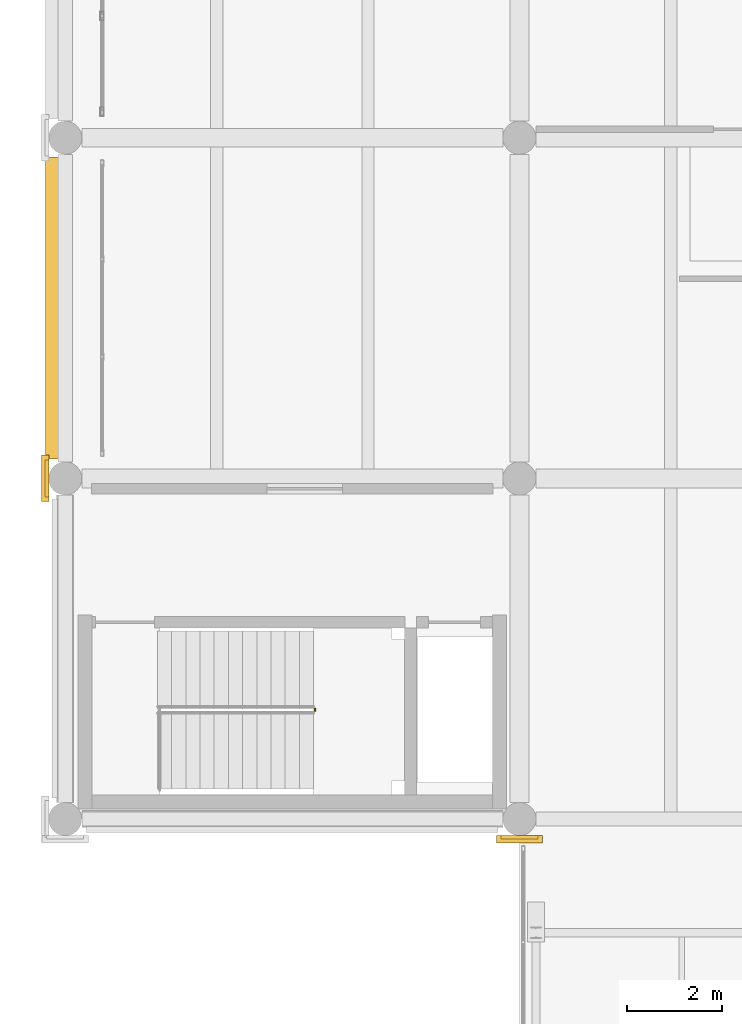
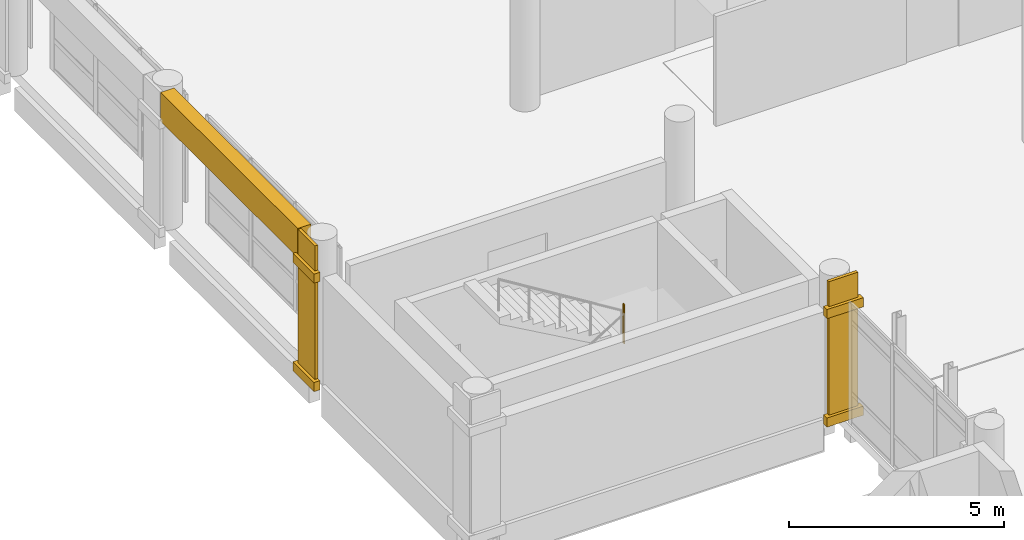
# One storey, part 162 of 180: 7 coverings, 1 railing.
"""IFC4 building model written with IfcOpenShell, lengths in metres."""

from ifc_helpers import new_model, si_unit, direction, frame, origin, origin_2d, place, context, subcontext, project, spatial, rectangle, circle, extrude, material, layer, layer_set, type_object, element, save


model = new_model("IFC4")

# Units and contexts
model_context = context("Model", 3, precision=1e-05, world=origin(), true_north=direction((0.0, 1.0)))
body_context = subcontext(model_context, "Body", "Model", "MODEL_VIEW")
ifc_project = project(units=[si_unit("LENGTHUNIT", "METRE"), si_unit("AREAUNIT", "SQUARE_METRE"), si_unit("VOLUMEUNIT", "CUBIC_METRE"), si_unit("PLANEANGLEUNIT", "RADIAN"), si_unit("MASSUNIT", "GRAM", prefix="KILO")], contexts=[model_context])

# Site, building, storey
site_placement = place(None, origin())
site = spatial("IfcSite", under=ifc_project, at=site_placement, CompositionType="ELEMENT")
building_placement = place(site_placement, origin())
building = spatial("IfcBuilding", under=site, at=building_placement, Name="Asteropetra Specialist Clinic", CompositionType="ELEMENT")
storey_placement = place(building_placement, frame((0.0, 0.0, 4.419921875)))
storey = spatial("IfcBuildingStorey", under=building, at=storey_placement, Name="L01", CompositionType="ELEMENT", Elevation=4.419921875)

# Coverings
ifc_material_1 = material(Name="Pentelic marble ashlar", Category="masonry")
ifc_layer = layer(ifc_material_1, 0.159912109375)
ifc_layer_set = layer_set([ifc_layer], Name="Pentelic marble ashlar")
covering_type = type_object("IfcCoveringType", Name="CRN-ENTAB-600", PredefinedType="MOLDING", material=ifc_layer_set)
covering_1_placement = place(storey_placement, frame((-0.239990234375, 44.39990234375, 3.25), z_axis=(0.0, 0.0, 1.0), x_axis=(1.0, 0.0, 0.0)))
element("IfcCovering", 1, at=covering_1_placement, inside=storey, type_object=covering_type, Name="Stoa Classical Entablature SE-0040", PredefinedType="MOLDING", context=body_context, shape_type="SweptSolid", body=[
    extrude(rectangle(XDim=0.360107421875, YDim=6.3798828125, at=origin_2d()), origin(), (0.0, 0.0, 1.0), 0.820068359375),
])
covering_2_placement = place(storey_placement, frame((-0.382080078125, 40.800048828125, 0.02001953125), z_axis=(0.0, 0.0, 1.0), x_axis=(1.0, 0.0, 0.0)))
element("IfcCovering", 2, at=covering_2_placement, inside=storey, type_object=covering_type, Name="Neoclassical Pilaster Facing CM-0817", PredefinedType="MOLDING", context=body_context, shape_type="SweptSolid", body=[
    extrude(rectangle(XDim=0.080078125, YDim=0.780029296875, at=origin_2d()), origin(), (0.0, 0.0, 1.0), 4.0400390625),
])
for number, where, z_axis, x_axis, name in (
    (3, (-0.422119140625, 40.800048828125, 0.01025390625), (0.0, 0.0, 1.0), (1.0, 0.0, 0.0), "Doric Base CC-0818"),
    (4, (-0.422119140625, 40.800048828125, 3.08984375), (0.0, 0.0, 1.0), (1.0, 0.0, 0.0), "Doric Capital CC-0819"),
):
    element("IfcCovering", number, at=place(storey_placement, frame(where, z_axis=z_axis, x_axis=x_axis)), inside=storey, type_object=covering_type, Name=name, PredefinedType="MOLDING", context=body_context, shape_type="SweptSolid", body=[
        extrude(rectangle(XDim=0.159912109375, YDim=0.97998046875, at=origin_2d()), origin(), (0.0, 0.0, 1.0), 0.260009765625),
    ])
covering_3_placement = place(storey_placement, frame((9.60009765625, 33.218017578125, 0.02001953125), z_axis=(0.0, 0.0, 1.0), x_axis=(1.0, 0.0, 0.0)))
element("IfcCovering", 5, at=covering_3_placement, inside=storey, type_object=covering_type, Name="Neoclassical Pilaster Facing CM-0832", PredefinedType="MOLDING", context=body_context, shape_type="SweptSolid", body=[
    extrude(rectangle(XDim=0.780029296875, YDim=0.080078125, at=origin_2d()), origin(), (0.0, 0.0, 1.0), 4.0400390625),
])
for number, where, z_axis, x_axis, name in (
    (6, (9.60009765625, 33.177978515625, 0.01025390625), (0.0, 0.0, 1.0), (1.0, 0.0, 0.0), "Doric Base CC-0833"),
    (7, (9.60009765625, 33.177978515625, 3.08984375), (0.0, 0.0, 1.0), (1.0, 0.0, 0.0), "Doric Capital CC-0834"),
):
    element("IfcCovering", number, at=place(storey_placement, frame(where, z_axis=z_axis, x_axis=x_axis)), inside=storey, type_object=covering_type, Name=name, PredefinedType="MOLDING", context=body_context, shape_type="SweptSolid", body=[
        extrude(rectangle(XDim=0.97998046875, YDim=0.159912109375, at=origin_2d()), origin(), (0.0, 0.0, 1.0), 0.260009765625),
    ])

# Railing
ifc_material_2 = material(Name="Steel S355 and laminated glass guard", Category="steel")
railing_type = type_object("IfcRailingType", Name="GRD-INT-1120", PredefinedType="GUARDRAIL", material=ifc_material_2)
railing_placement = place(storey_placement, frame((5.280029296875, 35.889892578125, 2.0400390625)))
element("IfcRailing", 8, at=railing_placement, inside=storey, type_object=railing_type, Name="Landing Slot Guard ST04-L01", PredefinedType="GUARDRAIL", context=body_context, shape_type="SweptSolid", body=[
    extrude(circle(Radius=0.02392578125, at=origin_2d()), frame((0.0, 0.0, 1.09619140625), z_axis=(0.0, 1.0, 0.0), x_axis=(-1.0, 0.0, 0.0)), (0.0, 0.0, 1.0), 0.0400390625),
    extrude(circle(Radius=0.02099609375, at=origin_2d()), origin(), (0.0, 0.0, 1.0), 1.072021484375),
    extrude(circle(Radius=0.02099609375, at=origin_2d()), frame((0.0, 0.0400390625, 0.0)), (0.0, 0.0, 1.0), 1.072021484375),
])

save(model, "model.ifc")
